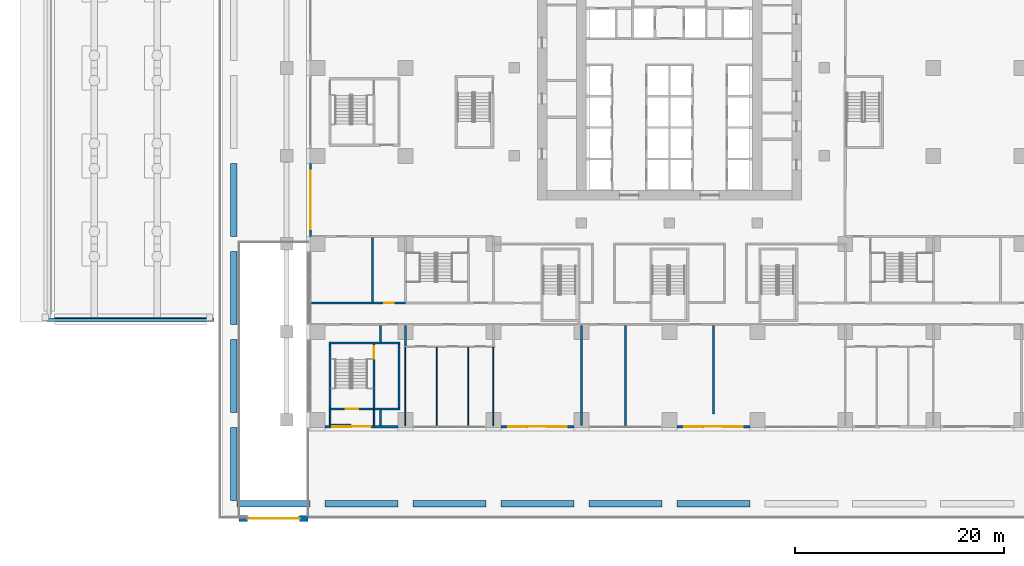
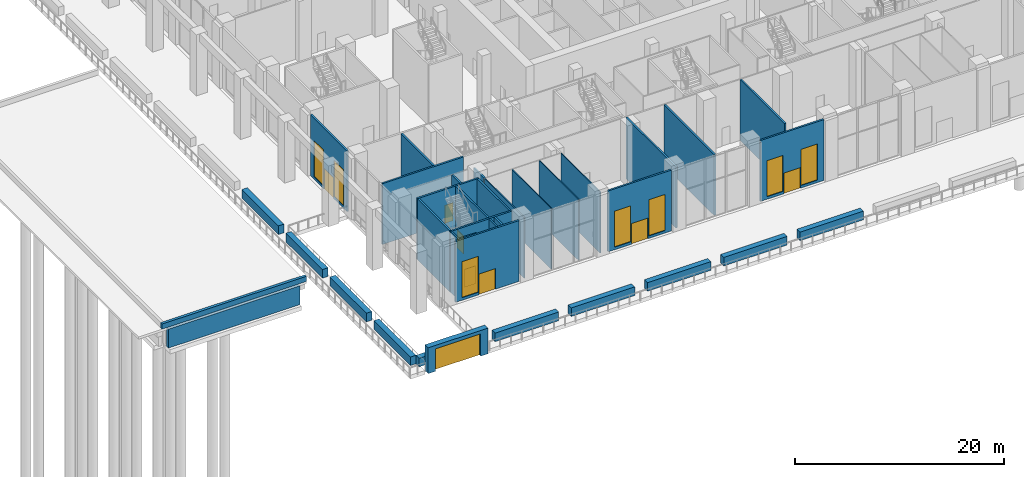
# One storey, part 19 of 53: 38 walls, 8 doors, 7 windows, 15 openings.
"""IFC4 building model written with IfcOpenShell, lengths in metres."""

from ifc_helpers import new_model, si_unit, direction, frame, frame_2d, origin, place, context, subcontext, project, spatial, rectangle, extrude, material, layer, layer_set, type_object, element, fill, save


model = new_model("IFC4")

# Units and contexts
model_context = context("Model", 3, precision=1e-05, world=origin(), true_north=direction((0.0, 1.0)))
body_context = subcontext(model_context, "Body", "Model", "MODEL_VIEW")
ifc_project = project(units=[si_unit("LENGTHUNIT", "METRE"), si_unit("AREAUNIT", "SQUARE_METRE"), si_unit("VOLUMEUNIT", "CUBIC_METRE"), si_unit("PLANEANGLEUNIT", "RADIAN"), si_unit("MASSUNIT", "GRAM", prefix="KILO")], contexts=[model_context])

# Site, building, storey
site_placement = place(None, origin())
site = spatial("IfcSite", under=ifc_project, at=site_placement, CompositionType="ELEMENT")
building_placement = place(site_placement, origin())
building = spatial("IfcBuilding", under=site, at=building_placement, Name="Vermilion Ogive Tower", CompositionType="ELEMENT")
storey_placement = place(building_placement, origin())
storey = spatial("IfcBuildingStorey", under=building, at=storey_placement, Name="L00", CompositionType="ELEMENT", Elevation=0.0)

# Wall, opening, door
ifc_material_1 = material(Name="Concrete B45", Category="concrete")
ifc_layer_1 = layer(ifc_material_1, 0.60009765625)
ifc_layer_set_1 = layer_set([ifc_layer_1], Name="Gate wall 600")
wall_type_1 = type_object("IfcWallType", Name="Gate wall 600", PredefinedType="SOLIDWALL", material=ifc_layer_set_1)
wall_1_placement = place(storey_placement, frame((-41.10009765625, -38.800048828125, 0.0), z_axis=(0.0, 0.0, 1.0), x_axis=(1.0, 0.0, 0.0)))
wall_1 = element("IfcWall", 1, at=wall_1_placement, inside=storey, type_object=wall_type_1, Name="Vehicle gate wall", PredefinedType="SOLIDWALL", context=body_context, shape_type="SweptSolid", body=[
    extrude(rectangle(XDim=6.60009765625, YDim=0.60009765625, at=frame_2d((3.300048828125, 0.0))), origin(), (0.0, 0.0, 1.0), 3.0),
])
opening_1_placement = place(wall_1_placement, frame((0.800048828125, 0.0, 0.0)))
opening_1 = element("IfcOpeningElement", 2, at=opening_1_placement, cuts=wall_1, Name="Opening VG1", PredefinedType="OPENING", context=body_context, shape_type="SweptSolid", body=[
    extrude(rectangle(XDim=5.0, YDim=2.60009765625, at=frame_2d((2.5, 1.300048828125))), frame((0.0, 0.31005859375, 0.0), z_axis=(0.0, -1.0, 0.0), x_axis=(1.0, 0.0, 0.0)), (0.0, 0.0, 1.0), 0.6201171875),
])
ifc_material_2 = material(Name="Galvanised steel", Category="steel")
door_type_1 = type_object("IfcDoorType", Name="Vehicle gate 5000 x 2600", OperationType="ROLLINGUP", PredefinedType="GATE", material=ifc_material_2)
door_1_placement = place(opening_1_placement, origin())
door_1 = element("IfcDoor", 3, at=door_1_placement, inside=storey, type_object=door_type_1, Name="PK-GATE", OperationType="SINGLE_SWING_LEFT", OverallHeight=2.60009765625, OverallWidth=5.0, PredefinedType="GATE", context=body_context, shape_type="SweptSolid", body=[
    extrude(rectangle(XDim=5.0, YDim=2.60009765625, at=frame_2d((2.5, 1.300048828125))), frame((0.0, 0.02490234375, 0.0), z_axis=(0.0, -1.0, 0.0), x_axis=(1.0, 0.0, 0.0)), (0.0, 0.0, 1.0), 0.050048828125),
])
fill(opening_1, door_1)

# Walls
ifc_material_3 = material(Name="Gypsum board partition on steel studs", Category="steel")
ifc_layer_2 = layer(ifc_material_3, 0.10009765625)
ifc_layer_set_2 = layer_set([ifc_layer_2], Name="Partition 100 bath")
wall_type_2 = type_object("IfcWallType", Name="Partition 100 bath", PredefinedType="PARTITIONING", material=ifc_layer_set_2)
for number, where, z_axis, x_axis, name in (
    (4, (-25.199951171875, -29.949951171875, 0.0), (0.0, 0.0, 1.0), (0.0, 1.0, 0.0), "L00-FS-W-W060"),
    (5, (-22.199951171875, -29.949951171875, 0.0), (0.0, 0.0, 1.0), (0.0, 1.0, 0.0), "L00-FS-W-W064"),
    (6, (-19.199951171875, -29.949951171875, 0.0), (0.0, 0.0, 1.0), (0.0, 1.0, 0.0), "L00-FS-W-W068"),
    (7, (-16.800048828125, -29.949951171875, 0.0), (0.0, 0.0, 1.0), (0.0, 1.0, 0.0), "L00-FS-W-W070"),
):
    element("IfcWall", number, at=place(storey_placement, frame(where, z_axis=z_axis, x_axis=x_axis)), inside=storey, type_object=wall_type_2, Name=name, PredefinedType="PARTITIONING", context=body_context, shape_type="SweptSolid", body=[
        extrude(rectangle(XDim=7.5, YDim=0.10009765625, at=frame_2d((3.75, 0.0))), origin(), (0.0, 0.0, 1.0), 7.10009765625),
    ])
ifc_material_4 = material(Name="Gypsum board partition on steel studs", Category="steel")
ifc_layer_3 = layer(ifc_material_4, 0.14990234375)
ifc_layer_set_3 = layer_set([ifc_layer_3], Name="Partition 150 corridor")
wall_type_3 = type_object("IfcWallType", Name="Partition 150 corridor", PredefinedType="PARTITIONING", material=ifc_layer_set_3)
wall_2_placement = place(storey_placement, frame((-32.47509765625, -29.873046875, 0.0), z_axis=(0.0, 0.0, 1.0), x_axis=(1.0, 0.0, 0.0)))
element("IfcWall", 8, at=wall_2_placement, inside=storey, type_object=wall_type_3, Name="L00-FS-W-W001", PredefinedType="PARTITIONING", context=body_context, shape_type="SweptSolid", body=[
    extrude(rectangle(XDim=2.050048828125, YDim=0.14990234375, at=frame_2d((1.02490234375, 0.0))), origin(), (0.0, 0.0, 1.0), 7.10009765625),
])
wall_3_placement = place(storey_placement, frame((-32.39990234375, -29.97509765625, 0.0), z_axis=(0.0, 0.0, 1.0), x_axis=(0.0, 1.0, 0.0)))
element("IfcWall", 9, at=wall_3_placement, inside=storey, type_object=wall_type_3, Name="L00-FS-W-W048", PredefinedType="PARTITIONING", context=body_context, shape_type="SweptSolid", body=[
    extrude(rectangle(XDim=1.550048828125, YDim=0.14990234375, at=frame_2d((0.77490234375, 0.0))), origin(), (0.0, 0.0, 1.0), 7.10009765625),
])
wall_4_placement = place(storey_placement, frame((-28.199951171875, -29.97509765625, 0.0), z_axis=(0.0, 0.0, 1.0), x_axis=(0.0, 1.0, 0.0)))
element("IfcWall", 10, at=wall_4_placement, inside=storey, type_object=wall_type_3, Name="L00-FS-W-W052", PredefinedType="PARTITIONING", context=body_context, shape_type="SweptSolid", body=[
    extrude(rectangle(XDim=1.525146484375, YDim=0.14990234375, at=frame_2d((0.7626953125, 0.0))), origin(), (0.0, 0.0, 1.0), 7.10009765625),
])
ifc_material_5 = material(Name="Gypsum board partition on steel studs", Category="steel")
ifc_layer_4 = layer(ifc_material_5, 0.199951171875)
ifc_layer_set_4 = layer_set([ifc_layer_4], Name="Partition 200 party")
wall_type_4 = type_object("IfcWallType", Name="Partition 200 party", PredefinedType="PARTITIONING", material=ifc_layer_set_4)
wall_5_placement = place(storey_placement, frame((-28.300048828125, -28.35009765625, 0.0), z_axis=(0.0, 0.0, 1.0), x_axis=(1.0, 0.0, 0.0)))
element("IfcWall", 11, at=wall_5_placement, inside=storey, type_object=wall_type_4, Name="L00-FS-W-W003", PredefinedType="PARTITIONING", context=body_context, shape_type="SweptSolid", body=[
    extrude(rectangle(XDim=2.60009765625, YDim=0.199951171875, at=frame_2d((1.300048828125, 0.0))), origin(), (0.0, 0.0, 1.0), 7.10009765625),
])
wall_6_placement = place(storey_placement, frame((-28.35009765625, -18.125, 0.0), z_axis=(0.0, 0.0, 1.0), x_axis=(0.0, 1.0, 0.0)))
element("IfcWall", 12, at=wall_6_placement, inside=storey, type_object=wall_type_4, Name="L00-FS-W-W051", PredefinedType="PARTITIONING", context=body_context, shape_type="SweptSolid", body=[
    extrude(rectangle(XDim=6.14990234375, YDim=0.199951171875, at=frame_2d((3.074951171875, 0.0))), origin(), (0.0, 0.0, 1.0), 7.10009765625),
])
wall_7_placement = place(storey_placement, frame((-27.60009765625, -29.949951171875, 0.0), z_axis=(0.0, 0.0, 1.0), x_axis=(0.0, 1.0, 0.0)))
element("IfcWall", 13, at=wall_7_placement, inside=storey, type_object=wall_type_4, Name="L00-FS-W-W055", PredefinedType="PARTITIONING", context=body_context, shape_type="SweptSolid", body=[
    extrude(rectangle(XDim=1.5, YDim=0.199951171875, at=frame_2d((0.75, 0.0))), origin(), (0.0, 0.0, 1.0), 7.10009765625),
])
wall_8_placement = place(storey_placement, frame((-27.60009765625, -21.949951171875, 0.0), z_axis=(0.0, 0.0, 1.0), x_axis=(0.0, 1.0, 0.0)))
element("IfcWall", 14, at=wall_8_placement, inside=storey, type_object=wall_type_4, Name="L00-FS-W-W056", PredefinedType="PARTITIONING", context=body_context, shape_type="SweptSolid", body=[
    extrude(rectangle(XDim=1.574951171875, YDim=0.199951171875, at=frame_2d((0.78759765625, 0.0))), origin(), (0.0, 0.0, 1.0), 7.10009765625),
])
wall_9_placement = place(storey_placement, frame((-25.800048828125, -28.25, 0.0), z_axis=(0.0, 0.0, 1.0), x_axis=(0.0, 1.0, 0.0)))
element("IfcWall", 15, at=wall_9_placement, inside=storey, type_object=wall_type_4, Name="L00-FS-W-W058", PredefinedType="PARTITIONING", context=body_context, shape_type="SweptSolid", body=[
    extrude(rectangle(XDim=6.10009765625, YDim=0.199951171875, at=frame_2d((3.050048828125, 0.0))), origin(), (0.0, 0.0, 1.0), 7.10009765625),
])
wall_10_placement = place(storey_placement, frame((-25.199951171875, -22.35009765625, 0.0), z_axis=(0.0, 0.0, 1.0), x_axis=(0.0, 1.0, 0.0)))
element("IfcWall", 16, at=wall_10_placement, inside=storey, type_object=wall_type_4, Name="L00-FS-W-W061", PredefinedType="PARTITIONING", context=body_context, shape_type="SweptSolid", body=[
    extrude(rectangle(XDim=1.97509765625, YDim=0.199951171875, at=frame_2d((0.987548828125, 0.0))), origin(), (0.0, 0.0, 1.0), 7.10009765625),
])
for number, where, z_axis, x_axis, name in (
    (17, (-8.39990234375, -29.949951171875, 0.0), (0.0, 0.0, 1.0), (0.0, 1.0, 0.0), "L00-FS-W-W077"),
    (18, (-4.199951171875, -29.949951171875, 0.0), (0.0, 0.0, 1.0), (0.0, 1.0, 0.0), "L00-FS-W-W080"),
):
    element("IfcWall", number, at=place(storey_placement, frame(where, z_axis=z_axis, x_axis=x_axis)), inside=storey, type_object=wall_type_4, Name=name, PredefinedType="PARTITIONING", context=body_context, shape_type="SweptSolid", body=[
        extrude(rectangle(XDim=9.574951171875, YDim=0.199951171875, at=frame_2d((4.78759765625, 0.0))), origin(), (0.0, 0.0, 1.0), 7.10009765625),
    ])
wall_11_placement = place(storey_placement, frame((4.199951171875, -28.85009765625, 0.0), z_axis=(0.0, 0.0, 1.0), x_axis=(0.0, 1.0, 0.0)))
element("IfcWall", 19, at=wall_11_placement, inside=storey, type_object=wall_type_4, Name="L00-FS-W-W083", PredefinedType="PARTITIONING", context=body_context, shape_type="SweptSolid", body=[
    extrude(rectangle(XDim=8.47509765625, YDim=0.199951171875, at=frame_2d((4.237548828125, 0.0))), origin(), (0.0, 0.0, 1.0), 7.10009765625),
])
ifc_material_6 = material(Name="Concrete B45", Category="concrete")
ifc_layer_5 = layer(ifc_material_6, 0.300048828125)
ifc_layer_set_5 = layer_set([ifc_layer_5], Name="Quay edge curb QK1")
wall_type_5 = type_object("IfcWallType", Name="Quay edge curb QK1", PredefinedType="PARAPET", material=ifc_layer_set_5)
wall_12_placement = place(storey_placement, frame((-59.39990234375, -19.85009765625, 0.0), z_axis=(0.0, 0.0, 1.0), x_axis=(1.0, 0.0, 0.0)))
element("IfcWall", 20, at=wall_12_placement, inside=storey, type_object=wall_type_5, Name="Quay edge curb DROP S", PredefinedType="PARAPET", context=body_context, shape_type="SweptSolid", body=[
    extrude(rectangle(XDim=15.89990234375, YDim=0.300048828125, at=frame_2d((7.949951171875, 0.0))), origin(), (0.0, 0.0, 1.0), 0.60009765625),
])
ifc_material_7 = material(Name="Concrete B45", Category="concrete")
ifc_layer_6 = layer(ifc_material_7, 0.39990234375)
ifc_layer_set_6 = layer_set([ifc_layer_6], Name="Quay wall QW2 400")
wall_type_6 = type_object("IfcWallType", Name="Quay wall QW2 400", PredefinedType="SOLIDWALL", material=ifc_layer_set_6)
wall_13_placement = place(storey_placement, frame((-58.699951171875, -19.800048828125, -2.449951171875), z_axis=(0.0, 0.0, 1.0), x_axis=(1.0, 0.0, 0.0)))
element("IfcWall", 21, at=wall_13_placement, inside=storey, type_object=wall_type_6, Name="Quay wall SITE-DROP S", PredefinedType="SOLIDWALL", context=body_context, shape_type="SweptSolid", body=[
    extrude(rectangle(XDim=14.5, YDim=0.39990234375, at=frame_2d((7.25, 0.0))), origin(), (0.0, 0.0, 1.0), 2.199951171875),
])

# Wall, opening, door
ifc_material_8 = material(Name="Concrete B60", Category="concrete")
ifc_layer_7 = layer(ifc_material_8, 0.199951171875)
ifc_layer_set_7 = layer_set([ifc_layer_7], Name="Stair shaft wall 200 Concrete B60")
wall_type_7 = type_object("IfcWallType", Name="Stair shaft wall 200 Concrete B60", PredefinedType="SOLIDWALL", material=ifc_layer_set_7)
wall_14_placement = place(storey_placement, frame((-32.5, -28.375, 0.0), z_axis=(0.0, 0.0, 1.0), x_axis=(1.0, 0.0, 0.0)))
wall_14 = element("IfcWall", 22, at=wall_14_placement, inside=storey, type_object=wall_type_7, Name="L00-FS-W-W002", PredefinedType="SOLIDWALL", context=body_context, shape_type="SweptSolid", body=[
    extrude(rectangle(XDim=4.39990234375, YDim=0.199951171875, at=frame_2d((2.199951171875, 0.0))), origin(), (0.0, 0.0, 1.0), 7.10009765625),
])
opening_2_placement = place(wall_14_placement, frame((1.60009765625, 0.0, 0.0)))
opening_2 = element("IfcOpeningElement", 23, at=opening_2_placement, cuts=wall_14, Name="Opening L00S014", PredefinedType="OPENING", context=body_context, shape_type="SweptSolid", body=[
    extrude(rectangle(XDim=1.199951171875, YDim=2.10009765625, at=frame_2d((0.60009765625, 1.050048828125))), frame((0.0, 0.10986328125, 0.0), z_axis=(0.0, -1.0, 0.0), x_axis=(1.0, 0.0, 0.0)), (0.0, 0.0, 1.0), 0.219970703125),
])
ifc_material_9 = material(Name="Timber door leaf", Category="wood")
door_type_2 = type_object("IfcDoorType", Name="Stair door 1200 x 2100 FD60S", OperationType="SINGLE_SWING_LEFT", PredefinedType="DOOR", material=ifc_material_9)
door_2_placement = place(opening_2_placement, origin())
door_2 = element("IfcDoor", 24, at=door_2_placement, inside=storey, type_object=door_type_2, Name="L00-FS-D-D014", OperationType="DOUBLE_DOOR_SINGLE_SWING", OverallHeight=2.10009765625, OverallWidth=1.199951171875, PredefinedType="DOOR", context=body_context, shape_type="SweptSolid", body=[
    extrude(rectangle(XDim=1.199951171875, YDim=2.10009765625, at=frame_2d((0.60009765625, 1.050048828125))), frame((0.0, 0.02490234375, 0.0), z_axis=(0.0, -1.0, 0.0), x_axis=(1.0, 0.0, 0.0)), (0.0, 0.0, 1.0), 0.050048828125),
])
fill(opening_2, door_2)

# Walls
wall_15_placement = place(storey_placement, frame((-32.5, -22.050048828125, 0.0), z_axis=(0.0, 0.0, 1.0), x_axis=(1.0, 0.0, 0.0)))
element("IfcWall", 25, at=wall_15_placement, inside=storey, type_object=wall_type_7, Name="L00-FS-W-W008", PredefinedType="SOLIDWALL", context=body_context, shape_type="SweptSolid", body=[
    extrude(rectangle(XDim=6.800048828125, YDim=0.199951171875, at=frame_2d((3.39990234375, 0.0))), origin(), (0.0, 0.0, 1.0), 7.10009765625),
])
wall_16_placement = place(storey_placement, frame((-32.39990234375, -28.27490234375, 0.0), z_axis=(0.0, 0.0, 1.0), x_axis=(0.0, 1.0, 0.0)))
element("IfcWall", 26, at=wall_16_placement, inside=storey, type_object=wall_type_7, Name="L00-FS-W-W049", PredefinedType="SOLIDWALL", context=body_context, shape_type="SweptSolid", body=[
    extrude(rectangle(XDim=6.125, YDim=0.199951171875, at=frame_2d((3.0625, 0.0))), origin(), (0.0, 0.0, 1.0), 7.10009765625),
])

# Wall, opening, door
wall_17_placement = place(storey_placement, frame((-28.199951171875, -28.25, 0.0), z_axis=(0.0, 0.0, 1.0), x_axis=(0.0, 1.0, 0.0)))
wall_17 = element("IfcWall", 27, at=wall_17_placement, inside=storey, type_object=wall_type_7, Name="L00-FS-W-W053", PredefinedType="SOLIDWALL", context=body_context, shape_type="SweptSolid", body=[
    extrude(rectangle(XDim=6.10009765625, YDim=0.199951171875, at=frame_2d((3.050048828125, 0.0))), origin(), (0.0, 0.0, 1.0), 7.10009765625),
])
opening_3_placement = place(wall_17_placement, frame((4.7001953125, 0.0, 0.0)))
opening_3 = element("IfcOpeningElement", 28, at=opening_3_placement, cuts=wall_17, Name="Opening L00S013", PredefinedType="OPENING", context=body_context, shape_type="SweptSolid", body=[
    extrude(rectangle(XDim=1.199951171875, YDim=2.10009765625, at=frame_2d((0.60009765625, 1.050048828125))), frame((0.0, 0.10986328125, 0.0), z_axis=(0.0, -1.0, 0.0), x_axis=(1.0, 0.0, 0.0)), (0.0, 0.0, 1.0), 0.219970703125),
])
door_3_placement = place(opening_3_placement, origin())
door_3 = element("IfcDoor", 29, at=door_3_placement, inside=storey, type_object=door_type_2, Name="L00-FS-D-D013", OperationType="DOUBLE_DOOR_SINGLE_SWING", OverallHeight=2.10009765625, OverallWidth=1.199951171875, PredefinedType="DOOR", context=body_context, shape_type="SweptSolid", body=[
    extrude(rectangle(XDim=1.199951171875, YDim=2.10009765625, at=frame_2d((0.60009765625, 1.050048828125))), frame((0.0, 0.02490234375, 0.0), z_axis=(0.0, -1.0, 0.0), x_axis=(1.0, 0.0, 0.0)), (0.0, 0.0, 1.0), 0.050048828125),
])
fill(opening_3, door_3)

wall_18_placement = place(storey_placement, frame((-34.14990234375, -18.224853515625, 0.0), z_axis=(0.0, 0.0, 1.0), x_axis=(1.0, 0.0, 0.0)))
wall_18 = element("IfcWall", 30, at=wall_18_placement, inside=storey, type_object=wall_type_7, Name="L00-FS-W-W015-A", PredefinedType="SOLIDWALL", context=body_context, shape_type="SweptSolid", body=[
    extrude(rectangle(XDim=8.949951171875, YDim=0.199951171875, at=frame_2d((4.47509765625, 0.0))), origin(), (0.0, 0.0, 1.0), 7.10009765625),
])
opening_4_placement = place(wall_18_placement, frame((6.9248046875, 0.0, 0.0)))
opening_4 = element("IfcOpeningElement", 31, at=opening_4_placement, cuts=wall_18, Name="Opening L00S031", PredefinedType="OPENING", context=body_context, shape_type="SweptSolid", body=[
    extrude(rectangle(XDim=0.89990234375, YDim=2.10009765625, at=frame_2d((0.449951171875, 1.050048828125))), frame((0.0, 0.10986328125, 0.0), z_axis=(0.0, -1.0, 0.0), x_axis=(1.0, 0.0, 0.0)), (0.0, 0.0, 1.0), 0.219970703125),
])
ifc_material_10 = material(Name="Timber door leaf", Category="wood")
door_type_3 = type_object("IfcDoorType", Name="Room door 900 x 2100 FD30", OperationType="SINGLE_SWING_LEFT", PredefinedType="DOOR", material=ifc_material_10)
door_4_placement = place(opening_4_placement, origin())
door_4 = element("IfcDoor", 32, at=door_4_placement, inside=storey, type_object=door_type_3, Name="L00-FS-D-D031", OperationType="SINGLE_SWING_LEFT", OverallHeight=2.10009765625, OverallWidth=0.89990234375, PredefinedType="DOOR", context=body_context, shape_type="SweptSolid", body=[
    extrude(rectangle(XDim=0.89990234375, YDim=2.10009765625, at=frame_2d((0.449951171875, 1.050048828125))), frame((0.0, 0.02490234375, 0.0), z_axis=(0.0, -1.0, 0.0), x_axis=(1.0, 0.0, 0.0)), (0.0, 0.0, 1.0), 0.050048828125),
])
fill(opening_4, door_4)

# Walls
ifc_material_11 = material(Name="Concrete B40", Category="concrete")
ifc_layer_8 = layer(ifc_material_11, 0.60009765625)
ifc_layer_set_8 = layer_set([ifc_layer_8], Name="Terrace planter")
wall_type_8 = type_object("IfcWallType", Name="Terrace planter", PredefinedType="USERDEFINED", material=ifc_layer_set_8)
for number, where, z_axis, x_axis, name in (
    (33, (7.699951171875, -37.39990234375, 0.0), (0.0, 0.0, 1.0), (-1.0, 0.0, 0.0), "Terrace planter 1.1.28"),
    (34, (-0.699951171875, -37.39990234375, 0.0), (0.0, 0.0, 1.0), (-1.0, 0.0, 0.0), "Terrace planter 1.1.29"),
    (35, (-9.10009765625, -37.39990234375, 0.0), (0.0, 0.0, 1.0), (-1.0, 0.0, 0.0), "Terrace planter 1.1.30"),
    (36, (-17.5, -37.39990234375, 0.0), (0.0, 0.0, 1.0), (-1.0, 0.0, 0.0), "Terrace planter 1.1.31"),
    (37, (-25.89990234375, -37.39990234375, 0.0), (0.0, 0.0, 1.0), (-1.0, 0.0, 0.0), "Terrace planter 1.1.32"),
    (38, (-34.300048828125, -37.39990234375, 0.0), (0.0, 0.0, 1.0), (-1.0, 0.0, 0.0), "Terrace planter 1.1.33"),
    (39, (-41.60009765625, -37.10009765625, 0.0), (0.0, 0.0, 1.0), (0.0, 1.0, 0.0), "Terrace planter 1.1.34"),
    (40, (-41.60009765625, -28.699951171875, 0.0), (0.0, 0.0, 1.0), (0.0, 1.0, 0.0), "Terrace planter 1.1.35"),
    (41, (-41.60009765625, -20.300048828125, 0.0), (0.0, 0.0, 1.0), (0.0, 1.0, 0.0), "Terrace planter 1.1.36"),
    (42, (-41.60009765625, -11.89990234375, 0.0), (0.0, 0.0, 1.0), (0.0, 1.0, 0.0), "Terrace planter 1.1.37"),
):
    element("IfcWall", number, at=place(storey_placement, frame(where, z_axis=z_axis, x_axis=x_axis)), inside=storey, type_object=wall_type_8, Name=name, ObjectType="PLANTER", PredefinedType="USERDEFINED", context=body_context, shape_type="SweptSolid", body=[
        extrude(rectangle(XDim=7.0, YDim=0.60009765625, at=frame_2d((3.5, 0.0))), origin(), (0.0, 0.0, 1.0), 1.0),
    ])

# Wall, openings, window, door
ifc_material_12 = material(Name="Aluminium window wall framing", Category="aluminium")
ifc_layer_9 = layer(ifc_material_12, 0.199951171875)
ifc_layer_set_9 = layer_set([ifc_layer_9], Name="Window wall")
wall_type_9 = type_object("IfcWallType", Name="Window wall", PredefinedType="STANDARD", material=ifc_layer_set_9)
wall_19_placement = place(storey_placement, frame((-25.89990234375, -30.050048828125, 0.0), z_axis=(0.0, 0.0, 1.0), x_axis=(-1.0, 0.0, 0.0)))
wall_19 = element("IfcWall", 43, at=wall_19_placement, inside=storey, type_object=wall_type_9, Name="Window wall S1", PredefinedType="STANDARD", context=body_context, shape_type="SweptSolid", body=[
    extrude(rectangle(XDim=7.0, YDim=0.199951171875, at=frame_2d((3.5, 0.0))), origin(), (0.0, 0.0, 1.0), 7.10009765625),
])
opening_5_placement = place(wall_19_placement, frame((4.5, 0.0, 0.300048828125)))
opening_5 = element("IfcOpeningElement", 44, at=opening_5_placement, cuts=wall_19, Name="Opening P-S1A", PredefinedType="OPENING", context=body_context, shape_type="SweptSolid", body=[
    extrude(rectangle(XDim=1.800048828125, YDim=4.199951171875, at=frame_2d((0.89990234375, 2.10009765625))), frame((0.0, 0.10986328125, 0.0), z_axis=(0.0, -1.0, 0.0), x_axis=(1.0, 0.0, 0.0)), (0.0, 0.0, 1.0), 0.219970703125),
])
opening_6_placement = place(wall_19_placement, frame((2.60009765625, 0.0, 0.0)))
opening_6 = element("IfcOpeningElement", 45, at=opening_6_placement, cuts=wall_19, Name="Opening D2-S1", PredefinedType="OPENING", context=body_context, shape_type="SweptSolid", body=[
    extrude(rectangle(XDim=1.800048828125, YDim=2.39990234375, at=frame_2d((0.89990234375, 1.199951171875))), frame((0.0, 0.10986328125, 0.0), z_axis=(0.0, -1.0, 0.0), x_axis=(1.0, 0.0, 0.0)), (0.0, 0.0, 1.0), 0.219970703125),
])
ifc_material_13 = material(Name="Aluminium framed double glazing", Category="aluminium")
window_type = type_object("IfcWindowType", Name="Podium window P 1800x4200 sill 300", PartitioningType="SINGLE_PANEL", PredefinedType="WINDOW", material=ifc_material_13)
window_1_placement = place(opening_5_placement, origin())
window_1 = element("IfcWindow", 46, at=window_1_placement, inside=storey, type_object=window_type, Name="Window S1A", OverallHeight=4.199951171875, OverallWidth=1.800048828125, PartitioningType="SINGLE_PANEL", PredefinedType="WINDOW", context=body_context, shape_type="SweptSolid", body=[
    extrude(rectangle(XDim=1.800048828125, YDim=4.199951171875, at=frame_2d((0.89990234375, 2.10009765625))), frame((0.0, 0.030029296875, 0.0), z_axis=(0.0, -1.0, 0.0), x_axis=(1.0, 0.0, 0.0)), (0.0, 0.0, 1.0), 0.06005859375),
])
fill(opening_5, window_1)
ifc_material_14 = material(Name="Aluminium framed glazed door", Category="aluminium")
door_type_4 = type_object("IfcDoorType", Name="Terrace door D2", OperationType="SINGLE_SWING_LEFT", PredefinedType="DOOR", material=ifc_material_14)
door_5_placement = place(opening_6_placement, origin())
door_5 = element("IfcDoor", 47, at=door_5_placement, inside=storey, type_object=door_type_4, Name="Terrace door S1", OperationType="SINGLE_SWING_LEFT", OverallHeight=2.39990234375, OverallWidth=1.800048828125, PredefinedType="DOOR", context=body_context, shape_type="SweptSolid", body=[
    extrude(rectangle(XDim=1.800048828125, YDim=2.39990234375, at=frame_2d((0.89990234375, 1.199951171875))), frame((0.0, 0.02490234375, 0.0), z_axis=(0.0, -1.0, 0.0), x_axis=(1.0, 0.0, 0.0)), (0.0, 0.0, 1.0), 0.050048828125),
])
fill(opening_6, door_5)

# Wall, openings, windows, door
wall_20_placement = place(storey_placement, frame((-9.10009765625, -30.050048828125, 0.0), z_axis=(0.0, 0.0, 1.0), x_axis=(-1.0, 0.0, 0.0)))
wall_20 = element("IfcWall", 48, at=wall_20_placement, inside=storey, type_object=wall_type_9, Name="Window wall S3", PredefinedType="STANDARD", context=body_context, shape_type="SweptSolid", body=[
    extrude(rectangle(XDim=7.0, YDim=0.199951171875, at=frame_2d((3.5, 0.0))), origin(), (0.0, 0.0, 1.0), 7.10009765625),
])
opening_7_placement = place(wall_20_placement, frame((4.5, 0.0, 0.300048828125)))
opening_7 = element("IfcOpeningElement", 49, at=opening_7_placement, cuts=wall_20, Name="Opening P-S3A", PredefinedType="OPENING", context=body_context, shape_type="SweptSolid", body=[
    extrude(rectangle(XDim=1.800048828125, YDim=4.199951171875, at=frame_2d((0.89990234375, 2.10009765625))), frame((0.0, 0.10986328125, 0.0), z_axis=(0.0, -1.0, 0.0), x_axis=(1.0, 0.0, 0.0)), (0.0, 0.0, 1.0), 0.219970703125),
])
opening_8_placement = place(wall_20_placement, frame((2.60009765625, 0.0, 0.0)))
opening_8 = element("IfcOpeningElement", 50, at=opening_8_placement, cuts=wall_20, Name="Opening D2-S3", PredefinedType="OPENING", context=body_context, shape_type="SweptSolid", body=[
    extrude(rectangle(XDim=1.800048828125, YDim=2.39990234375, at=frame_2d((0.89990234375, 1.199951171875))), frame((0.0, 0.10986328125, 0.0), z_axis=(0.0, -1.0, 0.0), x_axis=(1.0, 0.0, 0.0)), (0.0, 0.0, 1.0), 0.219970703125),
])
opening_9_placement = place(wall_20_placement, frame((0.699951171875, 0.0, 0.300048828125)))
opening_9 = element("IfcOpeningElement", 51, at=opening_9_placement, cuts=wall_20, Name="Opening P-S3B", PredefinedType="OPENING", context=body_context, shape_type="SweptSolid", body=[
    extrude(rectangle(XDim=1.800048828125, YDim=4.199951171875, at=frame_2d((0.89990234375, 2.10009765625))), frame((0.0, 0.10986328125, 0.0), z_axis=(0.0, -1.0, 0.0), x_axis=(1.0, 0.0, 0.0)), (0.0, 0.0, 1.0), 0.219970703125),
])
window_2_placement = place(opening_7_placement, origin())
window_2 = element("IfcWindow", 52, at=window_2_placement, inside=storey, type_object=window_type, Name="Window S3A", OverallHeight=4.199951171875, OverallWidth=1.800048828125, PartitioningType="SINGLE_PANEL", PredefinedType="WINDOW", context=body_context, shape_type="SweptSolid", body=[
    extrude(rectangle(XDim=1.800048828125, YDim=4.199951171875, at=frame_2d((0.89990234375, 2.10009765625))), frame((0.0, 0.030029296875, 0.0), z_axis=(0.0, -1.0, 0.0), x_axis=(1.0, 0.0, 0.0)), (0.0, 0.0, 1.0), 0.06005859375),
])
fill(opening_7, window_2)
window_3_placement = place(opening_9_placement, origin())
window_3 = element("IfcWindow", 53, at=window_3_placement, inside=storey, type_object=window_type, Name="Window S3B", OverallHeight=4.199951171875, OverallWidth=1.800048828125, PartitioningType="SINGLE_PANEL", PredefinedType="WINDOW", context=body_context, shape_type="SweptSolid", body=[
    extrude(rectangle(XDim=1.800048828125, YDim=4.199951171875, at=frame_2d((0.89990234375, 2.10009765625))), frame((0.0, 0.030029296875, 0.0), z_axis=(0.0, -1.0, 0.0), x_axis=(1.0, 0.0, 0.0)), (0.0, 0.0, 1.0), 0.06005859375),
])
fill(opening_9, window_3)
door_6_placement = place(opening_8_placement, origin())
door_6 = element("IfcDoor", 54, at=door_6_placement, inside=storey, type_object=door_type_4, Name="Terrace door S3", OperationType="SINGLE_SWING_LEFT", OverallHeight=2.39990234375, OverallWidth=1.800048828125, PredefinedType="DOOR", context=body_context, shape_type="SweptSolid", body=[
    extrude(rectangle(XDim=1.800048828125, YDim=2.39990234375, at=frame_2d((0.89990234375, 1.199951171875))), frame((0.0, 0.02490234375, 0.0), z_axis=(0.0, -1.0, 0.0), x_axis=(1.0, 0.0, 0.0)), (0.0, 0.0, 1.0), 0.050048828125),
])
fill(opening_8, door_6)

wall_21_placement = place(storey_placement, frame((7.699951171875, -30.050048828125, 0.0), z_axis=(0.0, 0.0, 1.0), x_axis=(-1.0, 0.0, 0.0)))
wall_21 = element("IfcWall", 55, at=wall_21_placement, inside=storey, type_object=wall_type_9, Name="Window wall S5", PredefinedType="STANDARD", context=body_context, shape_type="SweptSolid", body=[
    extrude(rectangle(XDim=7.0, YDim=0.199951171875, at=frame_2d((3.5, 0.0))), origin(), (0.0, 0.0, 1.0), 7.10009765625),
])
opening_10_placement = place(wall_21_placement, frame((4.5, 0.0, 0.300048828125)))
opening_10 = element("IfcOpeningElement", 56, at=opening_10_placement, cuts=wall_21, Name="Opening P-S5A", PredefinedType="OPENING", context=body_context, shape_type="SweptSolid", body=[
    extrude(rectangle(XDim=1.800048828125, YDim=4.199951171875, at=frame_2d((0.89990234375, 2.10009765625))), frame((0.0, 0.10986328125, 0.0), z_axis=(0.0, -1.0, 0.0), x_axis=(1.0, 0.0, 0.0)), (0.0, 0.0, 1.0), 0.219970703125),
])
opening_11_placement = place(wall_21_placement, frame((2.60009765625, 0.0, 0.0)))
opening_11 = element("IfcOpeningElement", 57, at=opening_11_placement, cuts=wall_21, Name="Opening D2-S5", PredefinedType="OPENING", context=body_context, shape_type="SweptSolid", body=[
    extrude(rectangle(XDim=1.800048828125, YDim=2.39990234375, at=frame_2d((0.89990234375, 1.199951171875))), frame((0.0, 0.10986328125, 0.0), z_axis=(0.0, -1.0, 0.0), x_axis=(1.0, 0.0, 0.0)), (0.0, 0.0, 1.0), 0.219970703125),
])
opening_12_placement = place(wall_21_placement, frame((0.699951171875, 0.0, 0.300048828125)))
opening_12 = element("IfcOpeningElement", 58, at=opening_12_placement, cuts=wall_21, Name="Opening P-S5B", PredefinedType="OPENING", context=body_context, shape_type="SweptSolid", body=[
    extrude(rectangle(XDim=1.800048828125, YDim=4.199951171875, at=frame_2d((0.89990234375, 2.10009765625))), frame((0.0, 0.10986328125, 0.0), z_axis=(0.0, -1.0, 0.0), x_axis=(1.0, 0.0, 0.0)), (0.0, 0.0, 1.0), 0.219970703125),
])
window_4_placement = place(opening_10_placement, origin())
window_4 = element("IfcWindow", 59, at=window_4_placement, inside=storey, type_object=window_type, Name="Window S5A", OverallHeight=4.199951171875, OverallWidth=1.800048828125, PartitioningType="SINGLE_PANEL", PredefinedType="WINDOW", context=body_context, shape_type="SweptSolid", body=[
    extrude(rectangle(XDim=1.800048828125, YDim=4.199951171875, at=frame_2d((0.89990234375, 2.10009765625))), frame((0.0, 0.030029296875, 0.0), z_axis=(0.0, -1.0, 0.0), x_axis=(1.0, 0.0, 0.0)), (0.0, 0.0, 1.0), 0.06005859375),
])
fill(opening_10, window_4)
window_5_placement = place(opening_12_placement, origin())
window_5 = element("IfcWindow", 60, at=window_5_placement, inside=storey, type_object=window_type, Name="Window S5B", OverallHeight=4.199951171875, OverallWidth=1.800048828125, PartitioningType="SINGLE_PANEL", PredefinedType="WINDOW", context=body_context, shape_type="SweptSolid", body=[
    extrude(rectangle(XDim=1.800048828125, YDim=4.199951171875, at=frame_2d((0.89990234375, 2.10009765625))), frame((0.0, 0.030029296875, 0.0), z_axis=(0.0, -1.0, 0.0), x_axis=(1.0, 0.0, 0.0)), (0.0, 0.0, 1.0), 0.06005859375),
])
fill(opening_12, window_5)
door_7_placement = place(opening_11_placement, origin())
door_7 = element("IfcDoor", 61, at=door_7_placement, inside=storey, type_object=door_type_4, Name="Terrace door S5", OperationType="SINGLE_SWING_LEFT", OverallHeight=2.39990234375, OverallWidth=1.800048828125, PredefinedType="DOOR", context=body_context, shape_type="SweptSolid", body=[
    extrude(rectangle(XDim=1.800048828125, YDim=2.39990234375, at=frame_2d((0.89990234375, 1.199951171875))), frame((0.0, 0.02490234375, 0.0), z_axis=(0.0, -1.0, 0.0), x_axis=(1.0, 0.0, 0.0)), (0.0, 0.0, 1.0), 0.050048828125),
])
fill(opening_11, door_7)

wall_22_placement = place(storey_placement, frame((-34.25, -11.89990234375, 0.0), z_axis=(0.0, 0.0, 1.0), x_axis=(0.0, 1.0, 0.0)))
wall_22 = element("IfcWall", 62, at=wall_22_placement, inside=storey, type_object=wall_type_9, Name="Window wall W5", PredefinedType="STANDARD", context=body_context, shape_type="SweptSolid", body=[
    extrude(rectangle(XDim=7.0, YDim=0.199951171875, at=frame_2d((3.5, 0.0))), origin(), (0.0, 0.0, 1.0), 7.10009765625),
])
opening_13_placement = place(wall_22_placement, frame((4.5, 0.0, 0.300048828125)))
opening_13 = element("IfcOpeningElement", 63, at=opening_13_placement, cuts=wall_22, Name="Opening P-W5A", PredefinedType="OPENING", context=body_context, shape_type="SweptSolid", body=[
    extrude(rectangle(XDim=1.800048828125, YDim=4.199951171875, at=frame_2d((0.89990234375, 2.10009765625))), frame((0.0, 0.10986328125, 0.0), z_axis=(0.0, -1.0, 0.0), x_axis=(1.0, 0.0, 0.0)), (0.0, 0.0, 1.0), 0.219970703125),
])
opening_14_placement = place(wall_22_placement, frame((2.60009765625, 0.0, 0.0)))
opening_14 = element("IfcOpeningElement", 64, at=opening_14_placement, cuts=wall_22, Name="Opening D2-W5", PredefinedType="OPENING", context=body_context, shape_type="SweptSolid", body=[
    extrude(rectangle(XDim=1.800048828125, YDim=2.39990234375, at=frame_2d((0.89990234375, 1.199951171875))), frame((0.0, 0.10986328125, 0.0), z_axis=(0.0, -1.0, 0.0), x_axis=(1.0, 0.0, 0.0)), (0.0, 0.0, 1.0), 0.219970703125),
])
opening_15_placement = place(wall_22_placement, frame((0.699951171875, 0.0, 0.300048828125)))
opening_15 = element("IfcOpeningElement", 65, at=opening_15_placement, cuts=wall_22, Name="Opening P-W5B", PredefinedType="OPENING", context=body_context, shape_type="SweptSolid", body=[
    extrude(rectangle(XDim=1.800048828125, YDim=4.199951171875, at=frame_2d((0.89990234375, 2.10009765625))), frame((0.0, 0.10986328125, 0.0), z_axis=(0.0, -1.0, 0.0), x_axis=(1.0, 0.0, 0.0)), (0.0, 0.0, 1.0), 0.219970703125),
])
window_6_placement = place(opening_13_placement, origin())
window_6 = element("IfcWindow", 66, at=window_6_placement, inside=storey, type_object=window_type, Name="Window W5A", OverallHeight=4.199951171875, OverallWidth=1.800048828125, PartitioningType="SINGLE_PANEL", PredefinedType="WINDOW", context=body_context, shape_type="SweptSolid", body=[
    extrude(rectangle(XDim=1.800048828125, YDim=4.199951171875, at=frame_2d((0.89990234375, 2.10009765625))), frame((0.0, 0.030029296875, 0.0), z_axis=(0.0, -1.0, 0.0), x_axis=(1.0, 0.0, 0.0)), (0.0, 0.0, 1.0), 0.06005859375),
])
fill(opening_13, window_6)
window_7_placement = place(opening_15_placement, origin())
window_7 = element("IfcWindow", 67, at=window_7_placement, inside=storey, type_object=window_type, Name="Window W5B", OverallHeight=4.199951171875, OverallWidth=1.800048828125, PartitioningType="SINGLE_PANEL", PredefinedType="WINDOW", context=body_context, shape_type="SweptSolid", body=[
    extrude(rectangle(XDim=1.800048828125, YDim=4.199951171875, at=frame_2d((0.89990234375, 2.10009765625))), frame((0.0, 0.030029296875, 0.0), z_axis=(0.0, -1.0, 0.0), x_axis=(1.0, 0.0, 0.0)), (0.0, 0.0, 1.0), 0.06005859375),
])
fill(opening_15, window_7)
door_8_placement = place(opening_14_placement, origin())
door_8 = element("IfcDoor", 68, at=door_8_placement, inside=storey, type_object=door_type_4, Name="Terrace door W5", OperationType="SINGLE_SWING_LEFT", OverallHeight=2.39990234375, OverallWidth=1.800048828125, PredefinedType="DOOR", context=body_context, shape_type="SweptSolid", body=[
    extrude(rectangle(XDim=1.800048828125, YDim=2.39990234375, at=frame_2d((0.89990234375, 1.199951171875))), frame((0.0, 0.02490234375, 0.0), z_axis=(0.0, -1.0, 0.0), x_axis=(1.0, 0.0, 0.0)), (0.0, 0.0, 1.0), 0.050048828125),
])
fill(opening_14, door_8)

save(model, "model.ifc")
